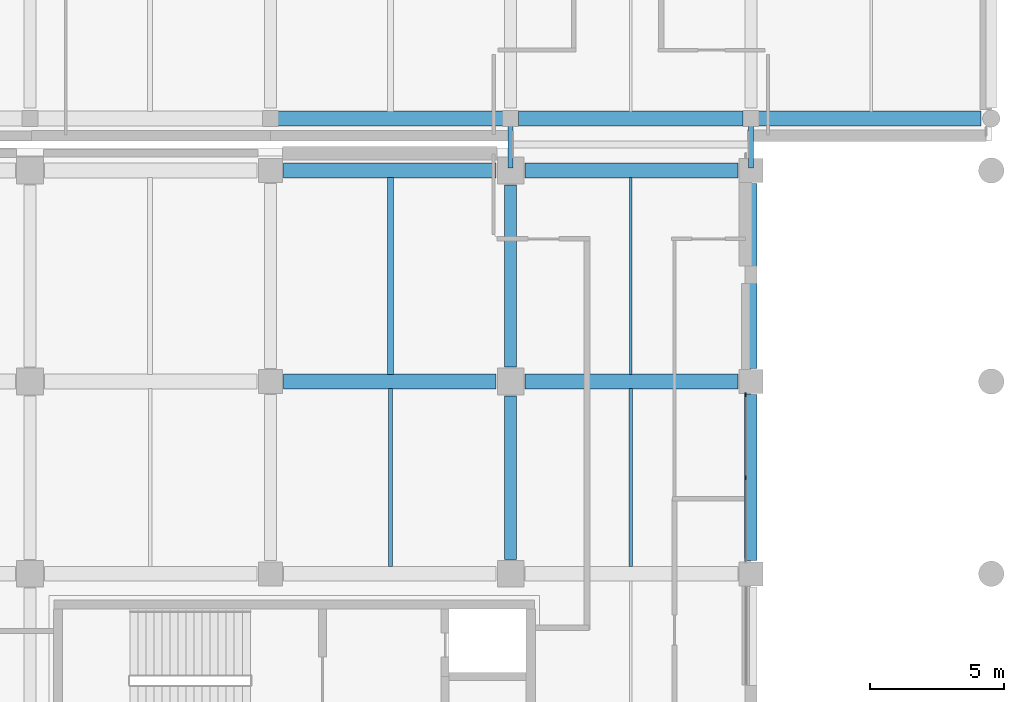
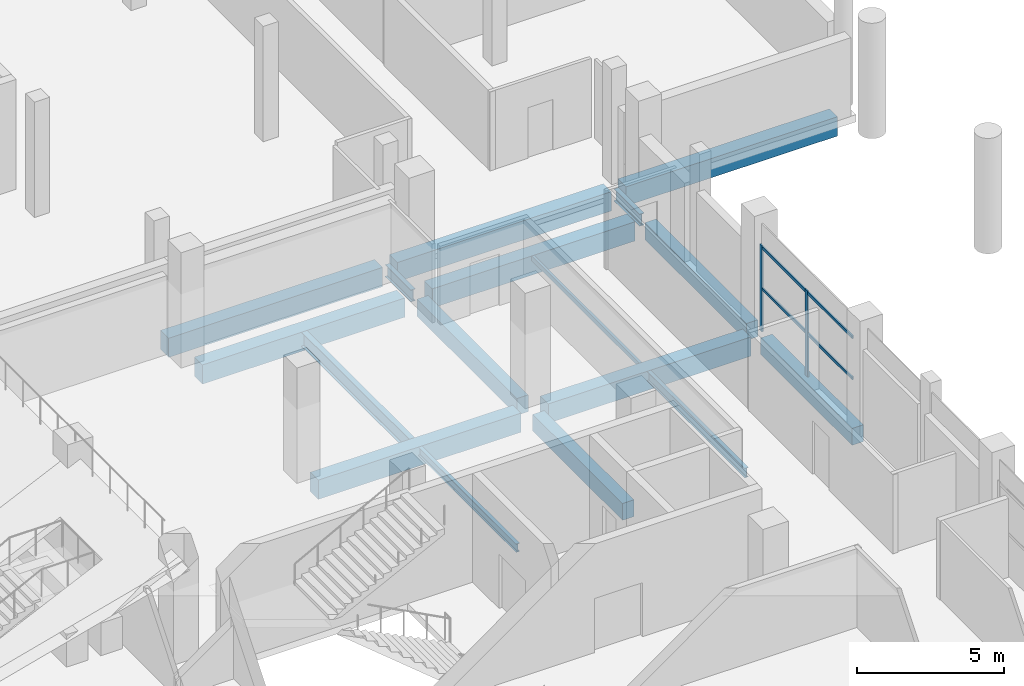
# One storey, part 27 of 100: 17 beams, 4 members, 1 element without a shape of its own.
"""IFC4 building model written with IfcOpenShell, lengths in metres."""

from ifc_helpers import new_model, si_unit, direction, frame, origin, origin_2d, place, context, subcontext, project, spatial, rectangle, hollow_rectangle, i_section, extrude, material, material_profile, profile_set, type_object, element, aggregate, save


model = new_model("IFC4")

# Units and contexts
model_context = context("Model", 3, precision=1e-05, world=origin(), true_north=direction((0.0, 1.0)))
body_context = subcontext(model_context, "Body", "Model", "MODEL_VIEW")
ifc_project = project(units=[si_unit("LENGTHUNIT", "METRE"), si_unit("AREAUNIT", "SQUARE_METRE"), si_unit("VOLUMEUNIT", "CUBIC_METRE"), si_unit("PLANEANGLEUNIT", "RADIAN"), si_unit("MASSUNIT", "GRAM", prefix="KILO"), si_unit("THERMODYNAMICTEMPERATUREUNIT", "KELVIN"), si_unit("POWERUNIT", "WATT")], contexts=[model_context])

# Site, building, storey
site_placement = place(None, origin())
site = spatial("IfcSite", under=ifc_project, at=site_placement, CompositionType="ELEMENT")
building_placement = place(site_placement, origin())
building = spatial("IfcBuilding", under=site, at=building_placement, Name="Sindhuravela Promenade Stadium", CompositionType="ELEMENT")
storey_placement = place(building_placement, frame((0.0, 0.0, 4.800048828125)))
storey = spatial("IfcBuildingStorey", under=building, at=storey_placement, Name="L01", CompositionType="ELEMENT", Elevation=4.800048828125)

# Curtain wall, members
ifc_material_1 = material(Name="Anodised architectural aluminium 6063-T6", Category="aluminium")
curtain_wall_type = type_object("IfcCurtainWallType", Name="CW-MOD-8", PredefinedType="NOTDEFINED", material=ifc_material_1)
curtain_wall_placement = place(storey_placement, origin())
curtain_wall = element("IfcCurtainWall", 1, at=curtain_wall_placement, inside=storey, type_object=curtain_wall_type, Name="Bronze curtain wall CW-EAST-L01-087", PredefinedType="NOTDEFINED")
ifc_material_profile_1 = material_profile(ifc_material_1, rectangle(XDim=0.06005859375, YDim=0.159912109375, at=origin_2d()), Name="ALU M60x160")
ifc_profile_set_1 = profile_set([ifc_material_profile_1], Name="Anodised architectural aluminium 6063-T6")
member_type_1 = type_object("IfcMemberType", Name="CW-MUL-4", PredefinedType="MULLION", material=ifc_profile_set_1)
member_1_placement = place(storey_placement, frame((206.800048828125, 116.5, 0.0), z_axis=(0.0, 0.0, 1.0), x_axis=(1.0, 0.0, 0.0)))
member_1 = element("IfcMember", 2, at=member_1_placement, type_object=member_type_1, Name="Curtain wall mullion CW-EAST-L01-087-M1", PredefinedType="MULLION", context=body_context, shape_type="SweptSolid", body=[
    extrude(rectangle(XDim=0.06005859375, YDim=0.159912109375, at=origin_2d()), origin(), (0.0, 0.0, 1.0), 3.579833984375),
])
member_2_placement = place(storey_placement, frame((206.800048828125, 113.39990234375, 0.0), z_axis=(0.0, 0.0, 1.0), x_axis=(1.0, 0.0, 0.0)))
member_2 = element("IfcMember", 3, at=member_2_placement, type_object=member_type_1, Name="Curtain wall mullion CW-EAST-L01-087-M2", PredefinedType="MULLION", context=body_context, shape_type="SweptSolid", body=[
    extrude(rectangle(XDim=0.06005859375, YDim=0.159912109375, at=origin_2d()), origin(), (0.0, 0.0, 1.0), 3.579833984375),
])
ifc_material_profile_2 = material_profile(ifc_material_1, rectangle(XDim=0.06005859375, YDim=0.1201171875, at=origin_2d()), Name="ALU T60x120")
ifc_profile_set_2 = profile_set([ifc_material_profile_2], Name="Anodised architectural aluminium 6063-T6")
member_type_2 = type_object("IfcMemberType", Name="CW-TRN-4", PredefinedType="USERDEFINED", material=ifc_profile_set_2)
member_3_placement = place(storey_placement, frame((206.800048828125, 116.52490234375, 1.7900390625), z_axis=(0.0, -1.0, 0.0), x_axis=(1.0, 0.0, 0.0)))
member_3 = element("IfcMember", 4, at=member_3_placement, type_object=member_type_2, Name="Curtain wall transom CW-EAST-L01-087-T1", ObjectType="TRANSOM", PredefinedType="USERDEFINED", context=body_context, shape_type="SweptSolid", body=[
    extrude(rectangle(XDim=0.06005859375, YDim=0.1201171875, at=origin_2d()), origin(), (0.0, 0.0, 1.0), 6.25),
])
member_4_placement = place(storey_placement, frame((206.800048828125, 116.52490234375, 3.5), z_axis=(0.0, -1.0, 0.0), x_axis=(1.0, 0.0, 0.0)))
member_4 = element("IfcMember", 5, at=member_4_placement, type_object=member_type_2, Name="Curtain wall transom CW-EAST-L01-087-T2", ObjectType="TRANSOM", PredefinedType="USERDEFINED", context=body_context, shape_type="SweptSolid", body=[
    extrude(rectangle(XDim=0.06005859375, YDim=0.1201171875, at=origin_2d()), origin(), (0.0, 0.0, 1.0), 6.25),
])
aggregate(curtain_wall, [member_1, member_2, member_3, member_4])

# Beams
ifc_material_2 = material(Name="Concrete M40", Category="concrete")
ifc_material_profile_3 = material_profile(ifc_material_2, rectangle(XDim=0.449951171875, YDim=0.699951171875, at=origin_2d()), Name="RC 450x700")
ifc_profile_set_3 = profile_set([ifc_material_profile_3], Name="Concrete M40")
beam_type_1 = type_object("IfcBeamType", Name="RC-BM-450x700", PredefinedType="BEAM", material=ifc_profile_set_3)
beam_1_placement = place(storey_placement, frame((198.0, 110.340087890625, -0.650146484375), z_axis=(0.0, 1.0, 0.0), x_axis=(-1.0, 0.0, 0.0)))
element("IfcBeam", 6, at=beam_1_placement, inside=storey, type_object=beam_type_1, Name="Primary beam GB07 EAST L01", PredefinedType="BEAM", context=body_context, shape_type="SweptSolid", body=[
    extrude(rectangle(XDim=0.449951171875, YDim=0.699951171875, at=origin_2d()), origin(), (0.0, 0.0, 1.0), 6.119873046875),
])
beam_2_placement = place(storey_placement, frame((198.0, 117.5400390625, -0.650146484375), z_axis=(0.0, 1.0, 0.0), x_axis=(-1.0, 0.0, 0.0)))
element("IfcBeam", 7, at=beam_2_placement, inside=storey, type_object=beam_type_1, Name="Primary beam GB07 EAST L01", PredefinedType="BEAM", context=body_context, shape_type="SweptSolid", body=[
    extrude(rectangle(XDim=0.449951171875, YDim=0.699951171875, at=origin_2d()), origin(), (0.0, 0.0, 1.0), 6.820068359375),
])
beam_3_placement = place(storey_placement, frame((207.0, 110.2900390625, -0.650146484375), z_axis=(0.0, 1.0, 0.0), x_axis=(-1.0, 0.0, 0.0)))
element("IfcBeam", 8, at=beam_3_placement, inside=storey, type_object=beam_type_1, Name="Primary beam GB07 EAST L01", PredefinedType="BEAM", context=body_context, shape_type="SweptSolid", body=[
    extrude(rectangle(XDim=0.449951171875, YDim=0.699951171875, at=origin_2d()), origin(), (0.0, 0.0, 1.0), 6.219970703125),
])
beam_4_placement = place(storey_placement, frame((207.0, 117.489990234375, -0.650146484375), z_axis=(0.0, 1.0, 0.0), x_axis=(-1.0, 0.0, 0.0)))
element("IfcBeam", 9, at=beam_4_placement, inside=storey, type_object=beam_type_1, Name="Primary beam GB07 EAST L01", PredefinedType="BEAM", context=body_context, shape_type="SweptSolid", body=[
    extrude(rectangle(XDim=0.449951171875, YDim=0.699951171875, at=origin_2d()), origin(), (0.0, 0.0, 1.0), 6.919921875),
])
ifc_material_profile_4 = material_profile(ifc_material_2, rectangle(XDim=0.550048828125, YDim=0.800048828125, at=origin_2d()), Name="RC 550x800")
ifc_profile_set_4 = profile_set([ifc_material_profile_4], Name="Concrete M40")
beam_type_2 = type_object("IfcBeamType", Name="RC-BM-550x800", PredefinedType="BEAM", material=ifc_profile_set_4)
for number, where, z_axis, x_axis, name in (
    (10, (189.489990234375, 117.0, -0.699951171875), (1.0, 0.0, 0.0), (0.0, 1.0, 0.0), "Primary girder GB05 EAST L01"),
    (11, (198.5400390625, 117.0, -0.699951171875), (1.0, 0.0, 0.0), (0.0, 1.0, 0.0), "Primary girder GB05 EAST L01"),
    (12, (189.489990234375, 124.89990234375, -0.699951171875), (1.0, 0.0, 0.0), (0.0, 1.0, 0.0), "Primary girder GB05 EAST L01"),
    (13, (198.5400390625, 124.89990234375, -0.699951171875), (1.0, 0.0, 0.0), (0.0, 1.0, 0.0), "Primary girder GB05 EAST L01"),
):
    element("IfcBeam", number, at=place(storey_placement, frame(where, z_axis=z_axis, x_axis=x_axis)), inside=storey, type_object=beam_type_2, Name=name, PredefinedType="BEAM", context=body_context, shape_type="SweptSolid", body=[
        extrude(rectangle(XDim=0.550048828125, YDim=0.800048828125, at=origin_2d()), origin(), (0.0, 0.0, 1.0), 7.969970703125),
    ])
for number, where, z_axis, x_axis, name in (
    (14, (189.2900390625, 126.85009765625, -0.699951171875), (1.0, 0.0, 0.0), (0.0, 1.0, 0.0), "Primary girder GB05 Pavilion NE L01"),
    (15, (198.2900390625, 126.85009765625, -0.699951171875), (1.0, 0.0, 0.0), (0.0, 1.0, 0.0), "Primary girder GB05 Pavilion NE L01"),
):
    element("IfcBeam", number, at=place(storey_placement, frame(where, z_axis=z_axis, x_axis=x_axis)), inside=storey, type_object=beam_type_2, Name=name, PredefinedType="BEAM", context=body_context, shape_type="SweptSolid", body=[
        extrude(rectangle(XDim=0.550048828125, YDim=0.800048828125, at=origin_2d()), origin(), (0.0, 0.0, 1.0), 8.419921875),
    ])
beam_5_placement = place(storey_placement, frame((207.2900390625, 126.85009765625, -0.699951171875), z_axis=(1.0, 0.0, 0.0), x_axis=(0.0, 1.0, 0.0)))
element("IfcBeam", 16, at=beam_5_placement, inside=storey, type_object=beam_type_2, Name="Primary girder GB05 Pavilion NE L01", PredefinedType="BEAM", context=body_context, shape_type="SweptSolid", body=[
    extrude(rectangle(XDim=0.550048828125, YDim=0.800048828125, at=origin_2d()), origin(), (0.0, 0.0, 1.0), 8.320068359375),
])
ifc_material_3 = material(Name="Steel E350 (IS 2062 E350BR)", Category="steel")
ifc_material_profile_5 = material_profile(ifc_material_3, hollow_rectangle(XDim=0.10009765625, YDim=0.199951171875, WallThickness=0.008056640625, at=origin_2d()), Name="RHS 200x100x8")
ifc_profile_set_5 = profile_set([ifc_material_profile_5], Name="Steel E350 (IS 2062 E350BR)")
beam_type_3 = type_object("IfcBeamType", Name="ST-BM-LNT200", PredefinedType="LINTEL", material=ifc_profile_set_5)
beam_6_placement = place(storey_placement, frame((202.5, 117.264892578125, -0.400146484375), z_axis=(0.0, 1.0, 0.0), x_axis=(-1.0, 0.0, 0.0)))
element("IfcBeam", 17, at=beam_6_placement, inside=storey, type_object=beam_type_3, Name="Secondary floor joist LN01 EAST L01", PredefinedType="LINTEL", context=body_context, shape_type="SweptSolid", body=[
    extrude(hollow_rectangle(XDim=0.10009765625, YDim=0.199951171875, WallThickness=0.008056640625, at=origin_2d()), origin(), (0.0, 0.0, 1.0), 7.3701171875),
])
ifc_material_profile_6 = material_profile(ifc_material_3, i_section(OverallWidth=0.139892578125, OverallDepth=0.35009765625, WebThickness=0.008056640625, FlangeThickness=0.01416015625, FilletRadius=0.013916015625, at=origin_2d()), Name="ISMB 350")
ifc_profile_set_6 = profile_set([ifc_material_profile_6], Name="Steel E350 (IS 2062 E350BR)")
beam_type_4 = type_object("IfcBeamType", Name="ST-BM-MB350", PredefinedType="JOIST", material=ifc_profile_set_6)
beam_7_placement = place(storey_placement, frame((193.5, 110.06494140625, -0.47509765625), z_axis=(0.0, 1.0, 0.0), x_axis=(-1.0, 0.0, 0.0)))
element("IfcBeam", 18, at=beam_7_placement, inside=storey, type_object=beam_type_4, Name="Secondary floor joist SB04 EAST L01", PredefinedType="JOIST", context=body_context, shape_type="SweptSolid", body=[
    extrude(i_section(OverallWidth=0.139892578125, OverallDepth=0.35009765625, WebThickness=0.008056640625, FlangeThickness=0.01416015625, FilletRadius=0.013916015625, at=origin_2d()), origin(), (0.0, 0.0, 1.0), 6.670166015625),
])
ifc_material_profile_7 = material_profile(ifc_material_3, i_section(OverallWidth=0.139892578125, OverallDepth=0.39990234375, WebThickness=0.0087890625, FlangeThickness=0.01611328125, FilletRadius=0.013916015625, at=origin_2d()), Name="ISMB 400")
ifc_profile_set_7 = profile_set([ifc_material_profile_7], Name="Steel E350 (IS 2062 E350BR)")
beam_type_5 = type_object("IfcBeamType", Name="ST-BM-MB400", PredefinedType="BEAM", material=ifc_profile_set_7)
beam_8_placement = place(storey_placement, frame((202.5, 110.06494140625, -0.5), z_axis=(0.0, 1.0, 0.0), x_axis=(-1.0, 0.0, 0.0)))
element("IfcBeam", 19, at=beam_8_placement, inside=storey, type_object=beam_type_5, Name="Secondary floor joist SB05 EAST L01", PredefinedType="BEAM", context=body_context, shape_type="SweptSolid", body=[
    extrude(i_section(OverallWidth=0.139892578125, OverallDepth=0.39990234375, WebThickness=0.0087890625, FlangeThickness=0.01611328125, FilletRadius=0.013916015625, at=origin_2d()), origin(), (0.0, 0.0, 1.0), 6.670166015625),
])
ifc_material_profile_8 = material_profile(ifc_material_3, i_section(OverallWidth=0.179931640625, OverallDepth=0.5, WebThickness=0.01025390625, FlangeThickness=0.01708984375, FilletRadius=0.01708984375, at=origin_2d()), Name="ISMB 500")
ifc_profile_set_8 = profile_set([ifc_material_profile_8], Name="Steel E350 (IS 2062 E350BR)")
beam_type_6 = type_object("IfcBeamType", Name="ST-BM-MB500", PredefinedType="BEAM", material=ifc_profile_set_8)
for number, where, z_axis, x_axis, name in (
    (20, (198.0, 125.0, -0.610107421875), (0.0, 1.0, 0.0), (-1.0, 0.0, 0.0), "Concourse link bridge L01 East-NE PTFE sliding girder L"),
    (21, (207.0, 125.0, -0.610107421875), (0.0, 1.0, 0.0), (-1.0, 0.0, 0.0), "Concourse link bridge L01 East-NE PTFE sliding girder R"),
):
    element("IfcBeam", number, at=place(storey_placement, frame(where, z_axis=z_axis, x_axis=x_axis)), inside=storey, type_object=beam_type_6, Name=name, PredefinedType="BEAM", context=body_context, shape_type="SweptSolid", body=[
        extrude(i_section(OverallWidth=0.179931640625, OverallDepth=0.5, WebThickness=0.01025390625, FlangeThickness=0.01708984375, FilletRadius=0.01708984375, at=origin_2d()), origin(), (0.0, 0.0, 1.0), 1.75),
    ])
ifc_material_profile_9 = material_profile(ifc_material_3, i_section(OverallWidth=0.2099609375, OverallDepth=0.60009765625, WebThickness=0.011962890625, FlangeThickness=0.020751953125, FilletRadius=0.02001953125, at=origin_2d()), Name="ISMB 600")
ifc_profile_set_9 = profile_set([ifc_material_profile_9], Name="Steel E350 (IS 2062 E350BR)")
beam_type_7 = type_object("IfcBeamType", Name="ST-BM-MB600", PredefinedType="BEAM", material=ifc_profile_set_9)
beam_9_placement = place(storey_placement, frame((193.5, 117.264892578125, -0.60009765625), z_axis=(0.0, 1.0, 0.0), x_axis=(-1.0, 0.0, 0.0)))
element("IfcBeam", 22, at=beam_9_placement, inside=storey, type_object=beam_type_7, Name="Secondary floor joist SB09 EAST L01", PredefinedType="BEAM", context=body_context, shape_type="SweptSolid", body=[
    extrude(i_section(OverallWidth=0.2099609375, OverallDepth=0.60009765625, WebThickness=0.011962890625, FlangeThickness=0.020751953125, FilletRadius=0.02001953125, at=origin_2d()), origin(), (0.0, 0.0, 1.0), 7.3701171875),
])

save(model, "model.ifc")
